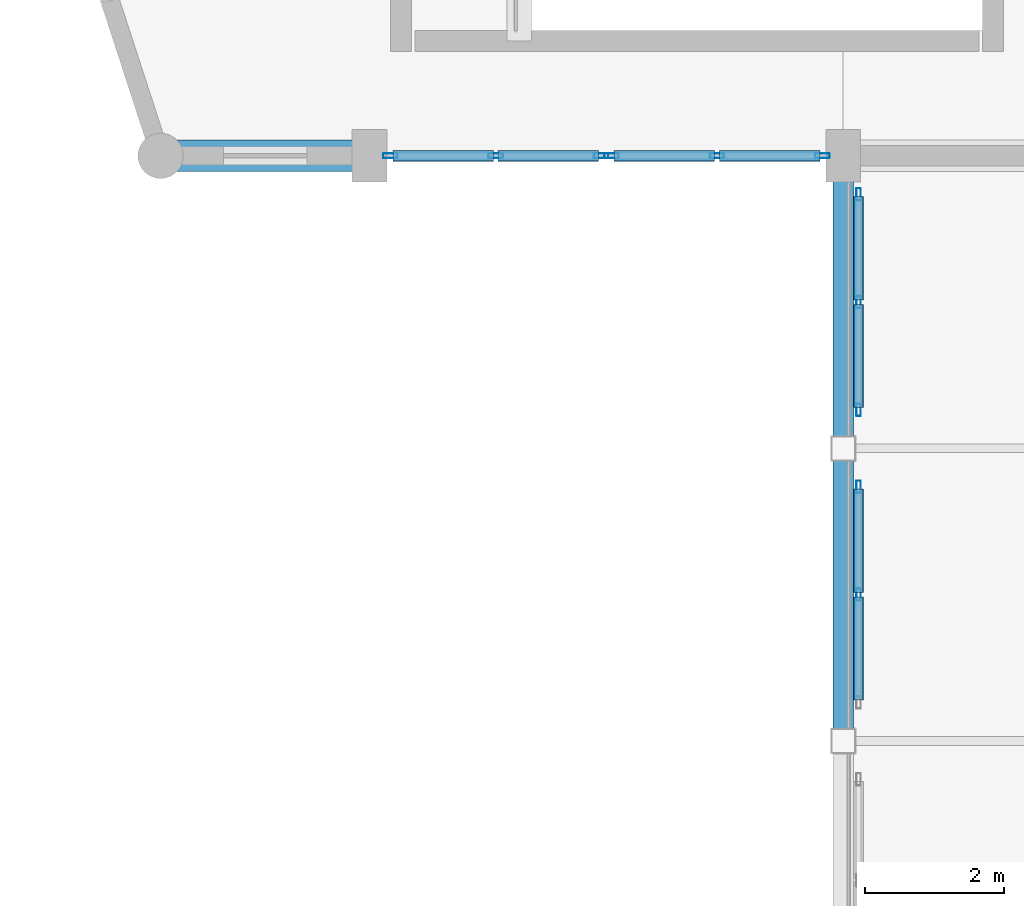
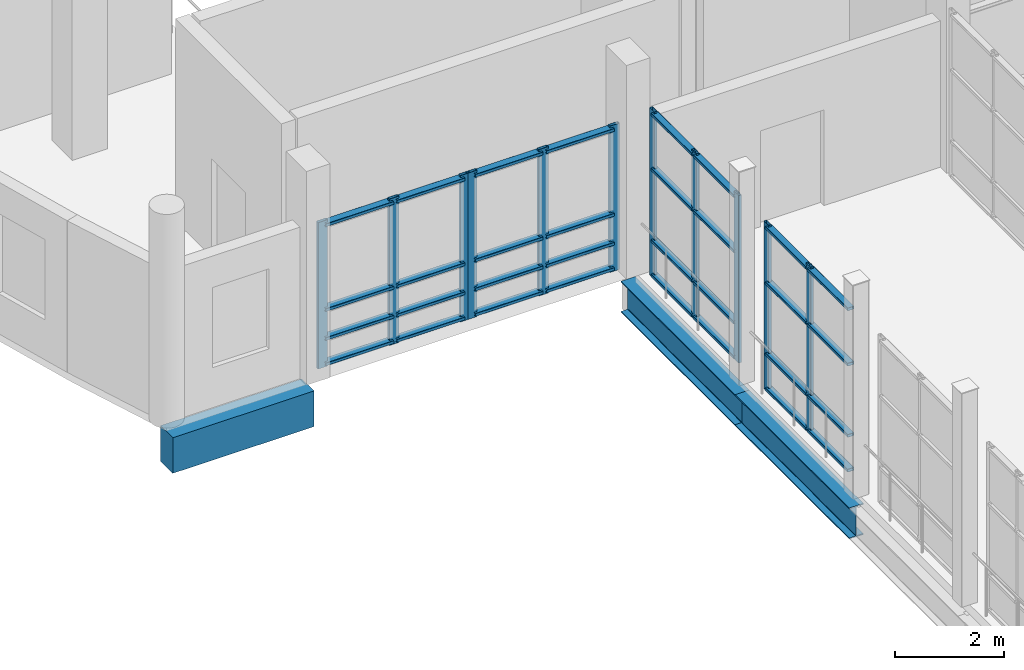
# One storey, part 25 of 106: 43 members, 3 beams, 4 elements without a shape of their own.
"""IFC4 building model written with IfcOpenShell, lengths in metres."""

from ifc_helpers import new_model, si_unit, direction, frame, origin, origin_2d, place, context, subcontext, project, spatial, rectangle, hollow_rectangle, i_section, extrude, material, layer, layer_set, material_profile, profile_set, type_object, element, aggregate, save


model = new_model("IFC4")

# Units and contexts
model_context = context("Model", 3, precision=1e-05, world=origin(), true_north=direction((0.0, 1.0)))
body_context = subcontext(model_context, "Body", "Model", "MODEL_VIEW")
ifc_project = project(units=[si_unit("LENGTHUNIT", "METRE"), si_unit("AREAUNIT", "SQUARE_METRE"), si_unit("VOLUMEUNIT", "CUBIC_METRE"), si_unit("PLANEANGLEUNIT", "RADIAN"), si_unit("MASSUNIT", "GRAM", prefix="KILO")], contexts=[model_context])

# Site, building, storey
site_placement = place(None, origin())
site = spatial("IfcSite", under=ifc_project, at=site_placement, CompositionType="ELEMENT")
building_placement = place(site_placement, origin())
building = spatial("IfcBuilding", under=site, at=building_placement, Name="Kisaragi Civic Commons", CompositionType="ELEMENT")
storey_placement = place(building_placement, frame((0.0, 0.0, 4.800048828125)))
storey = spatial("IfcBuildingStorey", under=building, at=storey_placement, Name="L01", CompositionType="ELEMENT", Elevation=4.800048828125)

# Curtain wall, members
ifc_material_1 = material(Name="Thermally broken anodized aluminium and low-E double glazing", Category="aluminium")
ifc_layer_1 = layer(ifc_material_1, 0.179931640625, Name="Thermally broken anodized aluminium and low-E double glazing", Category="aluminium")
ifc_layer_set_1 = layer_set([ifc_layer_1], Name="Thermally broken anodized aluminium and low-E double glazing")
curtain_wall_type_1 = type_object("IfcCurtainWallType", Name="CW-04", PredefinedType="NOTDEFINED", material=ifc_layer_set_1)
curtain_wall_1_placement = place(storey_placement, origin())
curtain_wall_1 = element("IfcCurtainWall", 1, at=curtain_wall_1_placement, inside=storey, type_object=curtain_wall_type_1, Name="L01 curtain wall CW-04 CW-BR-127", PredefinedType="NOTDEFINED")
ifc_material_profile_1 = material_profile(ifc_material_1, hollow_rectangle(XDim=0.06494140625, YDim=0.179931640625, WallThickness=0.00439453125, InnerFilletRadius=0.00439453125, OuterFilletRadius=0.009033203125, at=origin_2d()), Name="CWM-65x180x4.5", Category="aluminium")
ifc_profile_set_1 = profile_set([ifc_material_profile_1], Name="Thermally broken anodized aluminium and low-E double glazing")
member_type_1 = type_object("IfcMemberType", Name="CWM-02", PredefinedType="MULLION", material=ifc_profile_set_1)
member_1_placement = place(storey_placement, frame((13.820068359375, 72.89990234375, 0.0), z_axis=(0.0, 0.0, 1.0), x_axis=(-1.0, 0.0, 0.0)))
member_1 = element("IfcMember", 2, at=member_1_placement, type_object=member_type_1, Name="CW-04 mullion 2", PredefinedType="MULLION", context=body_context, shape_type="SweptSolid", body=[
    extrude(hollow_rectangle(XDim=0.06494140625, YDim=0.179931640625, WallThickness=0.00439453125, InnerFilletRadius=0.00439453125, OuterFilletRadius=0.009033203125, at=origin_2d()), origin(), (0.0, 0.0, 1.0), 3.760009765625),
])
member_2_placement = place(storey_placement, frame((13.820068359375, 74.447509765625, 0.0), z_axis=(0.0, 0.0, 1.0), x_axis=(-1.0, 0.0, 0.0)))
member_2 = element("IfcMember", 3, at=member_2_placement, type_object=member_type_1, Name="CW-04 mullion 3", PredefinedType="MULLION", context=body_context, shape_type="SweptSolid", body=[
    extrude(hollow_rectangle(XDim=0.06494140625, YDim=0.179931640625, WallThickness=0.00439453125, InnerFilletRadius=0.00439453125, OuterFilletRadius=0.009033203125, at=origin_2d()), origin(), (0.0, 0.0, 1.0), 3.760009765625),
])

curtain_wall_2_placement = place(storey_placement, origin())
curtain_wall_2 = element("IfcCurtainWall", 4, at=curtain_wall_2_placement, inside=storey, type_object=curtain_wall_type_1, Name="L01 curtain wall CW-04 CW-BR-128", PredefinedType="NOTDEFINED")
member_3_placement = place(storey_placement, frame((13.820068359375, 75.552490234375, 0.0), z_axis=(0.0, 0.0, 1.0), x_axis=(-1.0, 0.0, 0.0)))
member_3 = element("IfcMember", 5, at=member_3_placement, type_object=member_type_1, Name="CW-04 mullion 1", PredefinedType="MULLION", context=body_context, shape_type="SweptSolid", body=[
    extrude(hollow_rectangle(XDim=0.06494140625, YDim=0.179931640625, WallThickness=0.00439453125, InnerFilletRadius=0.00439453125, OuterFilletRadius=0.009033203125, at=origin_2d()), origin(), (0.0, 0.0, 1.0), 3.760009765625),
])
member_4_placement = place(storey_placement, frame((13.820068359375, 77.10009765625, 0.0), z_axis=(0.0, 0.0, 1.0), x_axis=(-1.0, 0.0, 0.0)))
member_4 = element("IfcMember", 6, at=member_4_placement, type_object=member_type_1, Name="CW-04 mullion 2", PredefinedType="MULLION", context=body_context, shape_type="SweptSolid", body=[
    extrude(hollow_rectangle(XDim=0.06494140625, YDim=0.179931640625, WallThickness=0.00439453125, InnerFilletRadius=0.00439453125, OuterFilletRadius=0.009033203125, at=origin_2d()), origin(), (0.0, 0.0, 1.0), 3.760009765625),
])
member_5_placement = place(storey_placement, frame((13.820068359375, 78.6474609375, 0.0), z_axis=(0.0, 0.0, 1.0), x_axis=(-1.0, 0.0, 0.0)))
member_5 = element("IfcMember", 7, at=member_5_placement, type_object=member_type_1, Name="CW-04 mullion 3", PredefinedType="MULLION", context=body_context, shape_type="SweptSolid", body=[
    extrude(hollow_rectangle(XDim=0.06494140625, YDim=0.179931640625, WallThickness=0.00439453125, InnerFilletRadius=0.00439453125, OuterFilletRadius=0.009033203125, at=origin_2d()), origin(), (0.0, 0.0, 1.0), 3.760009765625),
])

ifc_layer_2 = layer(ifc_material_1, 0.2099609375, Name="Thermally broken anodized aluminium and low-E double glazing", Category="aluminium")
ifc_layer_set_2 = layer_set([ifc_layer_2], Name="Thermally broken anodized aluminium and low-E double glazing")
curtain_wall_type_2 = type_object("IfcCurtainWallType", Name="CW-02", PredefinedType="NOTDEFINED", material=ifc_layer_set_2)
curtain_wall_3_placement = place(storey_placement, origin())
curtain_wall_3 = element("IfcCurtainWall", 8, at=curtain_wall_3_placement, inside=storey, type_object=curtain_wall_type_2, Name="L01 curtain wall CW-02 CW-V2-L01-007", PredefinedType="NOTDEFINED")
ifc_material_profile_2 = material_profile(ifc_material_1, hollow_rectangle(XDim=0.070068359375, YDim=0.2099609375, WallThickness=0.0048828125, InnerFilletRadius=0.0048828125, OuterFilletRadius=0.010009765625, at=origin_2d()), Name="CWM-70x210x5", Category="aluminium")
ifc_profile_set_2 = profile_set([ifc_material_profile_2], Name="Thermally broken anodized aluminium and low-E double glazing")
member_type_2 = type_object("IfcMemberType", Name="CWM-03", PredefinedType="MULLION", material=ifc_profile_set_2)
member_6_placement = place(storey_placement, frame((13.300048828125, 79.199951171875, 0.0), z_axis=(0.0, 0.0, 1.0), x_axis=(0.0, -1.0, 0.0)))
member_6 = element("IfcMember", 9, at=member_6_placement, type_object=member_type_2, Name="CW-02 mullion 1", PredefinedType="MULLION", context=body_context, shape_type="SweptSolid", body=[
    extrude(hollow_rectangle(XDim=0.070068359375, YDim=0.2099609375, WallThickness=0.0048828125, InnerFilletRadius=0.0048828125, OuterFilletRadius=0.010009765625, at=origin_2d()), origin(), (0.0, 0.0, 1.0), 3.284912109375),
])
member_7_placement = place(storey_placement, frame((11.78759765625, 79.199951171875, 0.0), z_axis=(0.0, 0.0, 1.0), x_axis=(0.0, -1.0, 0.0)))
member_7 = element("IfcMember", 10, at=member_7_placement, type_object=member_type_2, Name="CW-02 mullion 2", PredefinedType="MULLION", context=body_context, shape_type="SweptSolid", body=[
    extrude(hollow_rectangle(XDim=0.070068359375, YDim=0.2099609375, WallThickness=0.0048828125, InnerFilletRadius=0.0048828125, OuterFilletRadius=0.010009765625, at=origin_2d()), origin(), (0.0, 0.0, 1.0), 3.284912109375),
])
member_8_placement = place(storey_placement, frame((10.27490234375, 79.199951171875, 0.0), z_axis=(0.0, 0.0, 1.0), x_axis=(0.0, -1.0, 0.0)))
member_8 = element("IfcMember", 11, at=member_8_placement, type_object=member_type_2, Name="CW-02 mullion 3", PredefinedType="MULLION", context=body_context, shape_type="SweptSolid", body=[
    extrude(hollow_rectangle(XDim=0.070068359375, YDim=0.2099609375, WallThickness=0.0048828125, InnerFilletRadius=0.0048828125, OuterFilletRadius=0.010009765625, at=origin_2d()), origin(), (0.0, 0.0, 1.0), 3.284912109375),
])

curtain_wall_4_placement = place(storey_placement, origin())
curtain_wall_4 = element("IfcCurtainWall", 12, at=curtain_wall_4_placement, inside=storey, type_object=curtain_wall_type_2, Name="L01 curtain wall CW-02 CW-V2-L01-008", PredefinedType="NOTDEFINED")
member_9_placement = place(storey_placement, frame((10.125, 79.199951171875, 0.0), z_axis=(0.0, 0.0, 1.0), x_axis=(0.0, -1.0, 0.0)))
member_9 = element("IfcMember", 13, at=member_9_placement, type_object=member_type_2, Name="CW-02 mullion 1", PredefinedType="MULLION", context=body_context, shape_type="SweptSolid", body=[
    extrude(hollow_rectangle(XDim=0.070068359375, YDim=0.2099609375, WallThickness=0.0048828125, InnerFilletRadius=0.0048828125, OuterFilletRadius=0.010009765625, at=origin_2d()), origin(), (0.0, 0.0, 1.0), 3.284912109375),
])
member_10_placement = place(storey_placement, frame((8.612548828125, 79.199951171875, 0.0), z_axis=(0.0, 0.0, 1.0), x_axis=(0.0, -1.0, 0.0)))
member_10 = element("IfcMember", 14, at=member_10_placement, type_object=member_type_2, Name="CW-02 mullion 2", PredefinedType="MULLION", context=body_context, shape_type="SweptSolid", body=[
    extrude(hollow_rectangle(XDim=0.070068359375, YDim=0.2099609375, WallThickness=0.0048828125, InnerFilletRadius=0.0048828125, OuterFilletRadius=0.010009765625, at=origin_2d()), origin(), (0.0, 0.0, 1.0), 3.284912109375),
])
member_11_placement = place(storey_placement, frame((7.10009765625, 79.199951171875, 0.0), z_axis=(0.0, 0.0, 1.0), x_axis=(0.0, -1.0, 0.0)))
member_11 = element("IfcMember", 15, at=member_11_placement, type_object=member_type_2, Name="CW-02 mullion 3", PredefinedType="MULLION", context=body_context, shape_type="SweptSolid", body=[
    extrude(hollow_rectangle(XDim=0.070068359375, YDim=0.2099609375, WallThickness=0.0048828125, InnerFilletRadius=0.0048828125, OuterFilletRadius=0.010009765625, at=origin_2d()), origin(), (0.0, 0.0, 1.0), 3.284912109375),
])

# Member
ifc_material_profile_3 = material_profile(ifc_material_1, hollow_rectangle(XDim=0.139892578125, YDim=0.06494140625, WallThickness=0.00439453125, InnerFilletRadius=0.00439453125, OuterFilletRadius=0.009033203125, at=origin_2d()), Name="CWT-65x140x4.5", Category="aluminium")
ifc_profile_set_3 = profile_set([ifc_material_profile_3], Name="Thermally broken anodized aluminium and low-E double glazing")
member_type_3 = type_object("IfcMemberType", Name="CWT-02", PredefinedType="USERDEFINED", material=ifc_profile_set_3)
member_12_placement = place(storey_placement, frame((13.820068359375, 71.385009765625, 0.070068359375), z_axis=(0.0, 1.0, 0.0), x_axis=(-1.0, 0.0, 0.0)))
member_12 = element("IfcMember", 16, at=member_12_placement, type_object=member_type_3, Name="CW-04 transom 1.1", ObjectType="TRANSOM", PredefinedType="USERDEFINED", context=body_context, shape_type="SweptSolid", body=[
    extrude(hollow_rectangle(XDim=0.139892578125, YDim=0.06494140625, WallThickness=0.00439453125, InnerFilletRadius=0.00439453125, OuterFilletRadius=0.009033203125, at=origin_2d()), origin(), (0.0, 0.0, 1.0), 1.482421875),
])

member_13_placement = place(storey_placement, frame((13.820068359375, 71.385009765625, 0.849853515625), z_axis=(0.0, 1.0, 0.0), x_axis=(-1.0, 0.0, 0.0)))
member_13 = element("IfcMember", 17, at=member_13_placement, type_object=member_type_3, Name="CW-04 transom 1.2", ObjectType="TRANSOM", PredefinedType="USERDEFINED", context=body_context, shape_type="SweptSolid", body=[
    extrude(hollow_rectangle(XDim=0.139892578125, YDim=0.06494140625, WallThickness=0.00439453125, InnerFilletRadius=0.00439453125, OuterFilletRadius=0.009033203125, at=origin_2d()), origin(), (0.0, 0.0, 1.0), 1.482421875),
])

member_14_placement = place(storey_placement, frame((13.820068359375, 71.385009765625, 2.449951171875), z_axis=(0.0, 1.0, 0.0), x_axis=(-1.0, 0.0, 0.0)))
member_14 = element("IfcMember", 18, at=member_14_placement, type_object=member_type_3, Name="CW-04 transom 1.3", ObjectType="TRANSOM", PredefinedType="USERDEFINED", context=body_context, shape_type="SweptSolid", body=[
    extrude(hollow_rectangle(XDim=0.139892578125, YDim=0.06494140625, WallThickness=0.00439453125, InnerFilletRadius=0.00439453125, OuterFilletRadius=0.009033203125, at=origin_2d()), origin(), (0.0, 0.0, 1.0), 1.482421875),
])

member_15_placement = place(storey_placement, frame((13.820068359375, 71.385009765625, 3.68994140625), z_axis=(0.0, 1.0, 0.0), x_axis=(-1.0, 0.0, 0.0)))
member_15 = element("IfcMember", 19, at=member_15_placement, type_object=member_type_3, Name="CW-04 transom 1.4", ObjectType="TRANSOM", PredefinedType="USERDEFINED", context=body_context, shape_type="SweptSolid", body=[
    extrude(hollow_rectangle(XDim=0.139892578125, YDim=0.06494140625, WallThickness=0.00439453125, InnerFilletRadius=0.00439453125, OuterFilletRadius=0.009033203125, at=origin_2d()), origin(), (0.0, 0.0, 1.0), 1.482421875),
])

member_16_placement = place(storey_placement, frame((13.820068359375, 72.9326171875, 0.070068359375), z_axis=(0.0, 1.0, 0.0), x_axis=(-1.0, 0.0, 0.0)))
member_16 = element("IfcMember", 20, at=member_16_placement, type_object=member_type_3, Name="CW-04 transom 2.1", ObjectType="TRANSOM", PredefinedType="USERDEFINED", context=body_context, shape_type="SweptSolid", body=[
    extrude(hollow_rectangle(XDim=0.139892578125, YDim=0.06494140625, WallThickness=0.00439453125, InnerFilletRadius=0.00439453125, OuterFilletRadius=0.009033203125, at=origin_2d()), origin(), (0.0, 0.0, 1.0), 1.482421875),
])

member_17_placement = place(storey_placement, frame((13.820068359375, 72.9326171875, 0.849853515625), z_axis=(0.0, 1.0, 0.0), x_axis=(-1.0, 0.0, 0.0)))
member_17 = element("IfcMember", 21, at=member_17_placement, type_object=member_type_3, Name="CW-04 transom 2.2", ObjectType="TRANSOM", PredefinedType="USERDEFINED", context=body_context, shape_type="SweptSolid", body=[
    extrude(hollow_rectangle(XDim=0.139892578125, YDim=0.06494140625, WallThickness=0.00439453125, InnerFilletRadius=0.00439453125, OuterFilletRadius=0.009033203125, at=origin_2d()), origin(), (0.0, 0.0, 1.0), 1.482421875),
])

member_18_placement = place(storey_placement, frame((13.820068359375, 72.9326171875, 2.449951171875), z_axis=(0.0, 1.0, 0.0), x_axis=(-1.0, 0.0, 0.0)))
member_18 = element("IfcMember", 22, at=member_18_placement, type_object=member_type_3, Name="CW-04 transom 2.3", ObjectType="TRANSOM", PredefinedType="USERDEFINED", context=body_context, shape_type="SweptSolid", body=[
    extrude(hollow_rectangle(XDim=0.139892578125, YDim=0.06494140625, WallThickness=0.00439453125, InnerFilletRadius=0.00439453125, OuterFilletRadius=0.009033203125, at=origin_2d()), origin(), (0.0, 0.0, 1.0), 1.482421875),
])

member_19_placement = place(storey_placement, frame((13.820068359375, 72.9326171875, 3.68994140625), z_axis=(0.0, 1.0, 0.0), x_axis=(-1.0, 0.0, 0.0)))
member_19 = element("IfcMember", 23, at=member_19_placement, type_object=member_type_3, Name="CW-04 transom 2.4", ObjectType="TRANSOM", PredefinedType="USERDEFINED", context=body_context, shape_type="SweptSolid", body=[
    extrude(hollow_rectangle(XDim=0.139892578125, YDim=0.06494140625, WallThickness=0.00439453125, InnerFilletRadius=0.00439453125, OuterFilletRadius=0.009033203125, at=origin_2d()), origin(), (0.0, 0.0, 1.0), 1.482421875),
])

aggregate(curtain_wall_1, [member_1, member_2, member_12, member_13, member_14, member_15, member_16, member_17, member_18, member_19])

member_20_placement = place(storey_placement, frame((13.820068359375, 75.5849609375, 0.070068359375), z_axis=(0.0, 1.0, 0.0), x_axis=(-1.0, 0.0, 0.0)))
member_20 = element("IfcMember", 24, at=member_20_placement, type_object=member_type_3, Name="CW-04 transom 1.1", ObjectType="TRANSOM", PredefinedType="USERDEFINED", context=body_context, shape_type="SweptSolid", body=[
    extrude(hollow_rectangle(XDim=0.139892578125, YDim=0.06494140625, WallThickness=0.00439453125, InnerFilletRadius=0.00439453125, OuterFilletRadius=0.009033203125, at=origin_2d()), origin(), (0.0, 0.0, 1.0), 1.482421875),
])

member_21_placement = place(storey_placement, frame((13.820068359375, 75.5849609375, 0.849853515625), z_axis=(0.0, 1.0, 0.0), x_axis=(-1.0, 0.0, 0.0)))
member_21 = element("IfcMember", 25, at=member_21_placement, type_object=member_type_3, Name="CW-04 transom 1.2", ObjectType="TRANSOM", PredefinedType="USERDEFINED", context=body_context, shape_type="SweptSolid", body=[
    extrude(hollow_rectangle(XDim=0.139892578125, YDim=0.06494140625, WallThickness=0.00439453125, InnerFilletRadius=0.00439453125, OuterFilletRadius=0.009033203125, at=origin_2d()), origin(), (0.0, 0.0, 1.0), 1.482421875),
])

member_22_placement = place(storey_placement, frame((13.820068359375, 75.5849609375, 2.449951171875), z_axis=(0.0, 1.0, 0.0), x_axis=(-1.0, 0.0, 0.0)))
member_22 = element("IfcMember", 26, at=member_22_placement, type_object=member_type_3, Name="CW-04 transom 1.3", ObjectType="TRANSOM", PredefinedType="USERDEFINED", context=body_context, shape_type="SweptSolid", body=[
    extrude(hollow_rectangle(XDim=0.139892578125, YDim=0.06494140625, WallThickness=0.00439453125, InnerFilletRadius=0.00439453125, OuterFilletRadius=0.009033203125, at=origin_2d()), origin(), (0.0, 0.0, 1.0), 1.482421875),
])

member_23_placement = place(storey_placement, frame((13.820068359375, 75.5849609375, 3.68994140625), z_axis=(0.0, 1.0, 0.0), x_axis=(-1.0, 0.0, 0.0)))
member_23 = element("IfcMember", 27, at=member_23_placement, type_object=member_type_3, Name="CW-04 transom 1.4", ObjectType="TRANSOM", PredefinedType="USERDEFINED", context=body_context, shape_type="SweptSolid", body=[
    extrude(hollow_rectangle(XDim=0.139892578125, YDim=0.06494140625, WallThickness=0.00439453125, InnerFilletRadius=0.00439453125, OuterFilletRadius=0.009033203125, at=origin_2d()), origin(), (0.0, 0.0, 1.0), 1.482421875),
])

member_24_placement = place(storey_placement, frame((13.820068359375, 77.132568359375, 0.070068359375), z_axis=(0.0, 1.0, 0.0), x_axis=(-1.0, 0.0, 0.0)))
member_24 = element("IfcMember", 28, at=member_24_placement, type_object=member_type_3, Name="CW-04 transom 2.1", ObjectType="TRANSOM", PredefinedType="USERDEFINED", context=body_context, shape_type="SweptSolid", body=[
    extrude(hollow_rectangle(XDim=0.139892578125, YDim=0.06494140625, WallThickness=0.00439453125, InnerFilletRadius=0.00439453125, OuterFilletRadius=0.009033203125, at=origin_2d()), origin(), (0.0, 0.0, 1.0), 1.482421875),
])

member_25_placement = place(storey_placement, frame((13.820068359375, 77.132568359375, 0.849853515625), z_axis=(0.0, 1.0, 0.0), x_axis=(-1.0, 0.0, 0.0)))
member_25 = element("IfcMember", 29, at=member_25_placement, type_object=member_type_3, Name="CW-04 transom 2.2", ObjectType="TRANSOM", PredefinedType="USERDEFINED", context=body_context, shape_type="SweptSolid", body=[
    extrude(hollow_rectangle(XDim=0.139892578125, YDim=0.06494140625, WallThickness=0.00439453125, InnerFilletRadius=0.00439453125, OuterFilletRadius=0.009033203125, at=origin_2d()), origin(), (0.0, 0.0, 1.0), 1.482421875),
])

member_26_placement = place(storey_placement, frame((13.820068359375, 77.132568359375, 2.449951171875), z_axis=(0.0, 1.0, 0.0), x_axis=(-1.0, 0.0, 0.0)))
member_26 = element("IfcMember", 30, at=member_26_placement, type_object=member_type_3, Name="CW-04 transom 2.3", ObjectType="TRANSOM", PredefinedType="USERDEFINED", context=body_context, shape_type="SweptSolid", body=[
    extrude(hollow_rectangle(XDim=0.139892578125, YDim=0.06494140625, WallThickness=0.00439453125, InnerFilletRadius=0.00439453125, OuterFilletRadius=0.009033203125, at=origin_2d()), origin(), (0.0, 0.0, 1.0), 1.482421875),
])

member_27_placement = place(storey_placement, frame((13.820068359375, 77.132568359375, 3.68994140625), z_axis=(0.0, 1.0, 0.0), x_axis=(-1.0, 0.0, 0.0)))
member_27 = element("IfcMember", 31, at=member_27_placement, type_object=member_type_3, Name="CW-04 transom 2.4", ObjectType="TRANSOM", PredefinedType="USERDEFINED", context=body_context, shape_type="SweptSolid", body=[
    extrude(hollow_rectangle(XDim=0.139892578125, YDim=0.06494140625, WallThickness=0.00439453125, InnerFilletRadius=0.00439453125, OuterFilletRadius=0.009033203125, at=origin_2d()), origin(), (0.0, 0.0, 1.0), 1.482421875),
])

aggregate(curtain_wall_2, [member_3, member_4, member_5, member_20, member_21, member_22, member_23, member_24, member_25, member_26, member_27])

ifc_material_profile_4 = material_profile(ifc_material_1, hollow_rectangle(XDim=0.159912109375, YDim=0.070068359375, WallThickness=0.0048828125, InnerFilletRadius=0.0048828125, OuterFilletRadius=0.010009765625, at=origin_2d()), Name="CWT-70x160x5", Category="aluminium")
ifc_profile_set_4 = profile_set([ifc_material_profile_4], Name="Thermally broken anodized aluminium and low-E double glazing")
member_type_4 = type_object("IfcMemberType", Name="CWT-03", PredefinedType="USERDEFINED", material=ifc_profile_set_4)
member_28_placement = place(storey_placement, frame((13.264892578125, 79.199951171875, 0.079833984375), z_axis=(-1.0, 0.0, 0.0), x_axis=(0.0, -1.0, 0.0)))
member_28 = element("IfcMember", 32, at=member_28_placement, type_object=member_type_4, Name="CW-02 transom 1.1", ObjectType="TRANSOM", PredefinedType="USERDEFINED", context=body_context, shape_type="SweptSolid", body=[
    extrude(hollow_rectangle(XDim=0.159912109375, YDim=0.070068359375, WallThickness=0.0048828125, InnerFilletRadius=0.0048828125, OuterFilletRadius=0.010009765625, at=origin_2d()), origin(), (0.0, 0.0, 1.0), 1.4423828125),
])

member_29_placement = place(storey_placement, frame((13.264892578125, 79.199951171875, 0.64990234375), z_axis=(-1.0, 0.0, 0.0), x_axis=(0.0, -1.0, 0.0)))
member_29 = element("IfcMember", 33, at=member_29_placement, type_object=member_type_4, Name="CW-02 transom 1.2", ObjectType="TRANSOM", PredefinedType="USERDEFINED", context=body_context, shape_type="SweptSolid", body=[
    extrude(hollow_rectangle(XDim=0.159912109375, YDim=0.070068359375, WallThickness=0.0048828125, InnerFilletRadius=0.0048828125, OuterFilletRadius=0.010009765625, at=origin_2d()), origin(), (0.0, 0.0, 1.0), 1.4423828125),
])

member_30_placement = place(storey_placement, frame((13.264892578125, 79.199951171875, 1.300048828125), z_axis=(-1.0, 0.0, 0.0), x_axis=(0.0, -1.0, 0.0)))
member_30 = element("IfcMember", 34, at=member_30_placement, type_object=member_type_4, Name="CW-02 transom 1.3", ObjectType="TRANSOM", PredefinedType="USERDEFINED", context=body_context, shape_type="SweptSolid", body=[
    extrude(hollow_rectangle(XDim=0.159912109375, YDim=0.070068359375, WallThickness=0.0048828125, InnerFilletRadius=0.0048828125, OuterFilletRadius=0.010009765625, at=origin_2d()), origin(), (0.0, 0.0, 1.0), 1.4423828125),
])

member_31_placement = place(storey_placement, frame((13.264892578125, 79.199951171875, 3.204833984375), z_axis=(-1.0, 0.0, 0.0), x_axis=(0.0, -1.0, 0.0)))
member_31 = element("IfcMember", 35, at=member_31_placement, type_object=member_type_4, Name="CW-02 transom 1.4", ObjectType="TRANSOM", PredefinedType="USERDEFINED", context=body_context, shape_type="SweptSolid", body=[
    extrude(hollow_rectangle(XDim=0.159912109375, YDim=0.070068359375, WallThickness=0.0048828125, InnerFilletRadius=0.0048828125, OuterFilletRadius=0.010009765625, at=origin_2d()), origin(), (0.0, 0.0, 1.0), 1.4423828125),
])

member_32_placement = place(storey_placement, frame((11.75244140625, 79.199951171875, 0.079833984375), z_axis=(-1.0, 0.0, 0.0), x_axis=(0.0, -1.0, 0.0)))
member_32 = element("IfcMember", 36, at=member_32_placement, type_object=member_type_4, Name="CW-02 transom 2.1", ObjectType="TRANSOM", PredefinedType="USERDEFINED", context=body_context, shape_type="SweptSolid", body=[
    extrude(hollow_rectangle(XDim=0.159912109375, YDim=0.070068359375, WallThickness=0.0048828125, InnerFilletRadius=0.0048828125, OuterFilletRadius=0.010009765625, at=origin_2d()), origin(), (0.0, 0.0, 1.0), 1.4423828125),
])

member_33_placement = place(storey_placement, frame((11.75244140625, 79.199951171875, 0.64990234375), z_axis=(-1.0, 0.0, 0.0), x_axis=(0.0, -1.0, 0.0)))
member_33 = element("IfcMember", 37, at=member_33_placement, type_object=member_type_4, Name="CW-02 transom 2.2", ObjectType="TRANSOM", PredefinedType="USERDEFINED", context=body_context, shape_type="SweptSolid", body=[
    extrude(hollow_rectangle(XDim=0.159912109375, YDim=0.070068359375, WallThickness=0.0048828125, InnerFilletRadius=0.0048828125, OuterFilletRadius=0.010009765625, at=origin_2d()), origin(), (0.0, 0.0, 1.0), 1.4423828125),
])

member_34_placement = place(storey_placement, frame((11.75244140625, 79.199951171875, 1.300048828125), z_axis=(-1.0, 0.0, 0.0), x_axis=(0.0, -1.0, 0.0)))
member_34 = element("IfcMember", 38, at=member_34_placement, type_object=member_type_4, Name="CW-02 transom 2.3", ObjectType="TRANSOM", PredefinedType="USERDEFINED", context=body_context, shape_type="SweptSolid", body=[
    extrude(hollow_rectangle(XDim=0.159912109375, YDim=0.070068359375, WallThickness=0.0048828125, InnerFilletRadius=0.0048828125, OuterFilletRadius=0.010009765625, at=origin_2d()), origin(), (0.0, 0.0, 1.0), 1.4423828125),
])

member_35_placement = place(storey_placement, frame((11.75244140625, 79.199951171875, 3.204833984375), z_axis=(-1.0, 0.0, 0.0), x_axis=(0.0, -1.0, 0.0)))
member_35 = element("IfcMember", 39, at=member_35_placement, type_object=member_type_4, Name="CW-02 transom 2.4", ObjectType="TRANSOM", PredefinedType="USERDEFINED", context=body_context, shape_type="SweptSolid", body=[
    extrude(hollow_rectangle(XDim=0.159912109375, YDim=0.070068359375, WallThickness=0.0048828125, InnerFilletRadius=0.0048828125, OuterFilletRadius=0.010009765625, at=origin_2d()), origin(), (0.0, 0.0, 1.0), 1.4423828125),
])

aggregate(curtain_wall_3, [member_6, member_7, member_8, member_28, member_29, member_30, member_31, member_32, member_33, member_34, member_35])

member_36_placement = place(storey_placement, frame((10.090087890625, 79.199951171875, 0.079833984375), z_axis=(-1.0, 0.0, 0.0), x_axis=(0.0, -1.0, 0.0)))
member_36 = element("IfcMember", 40, at=member_36_placement, type_object=member_type_4, Name="CW-02 transom 1.1", ObjectType="TRANSOM", PredefinedType="USERDEFINED", context=body_context, shape_type="SweptSolid", body=[
    extrude(hollow_rectangle(XDim=0.159912109375, YDim=0.070068359375, WallThickness=0.0048828125, InnerFilletRadius=0.0048828125, OuterFilletRadius=0.010009765625, at=origin_2d()), origin(), (0.0, 0.0, 1.0), 1.442626953125),
])

member_37_placement = place(storey_placement, frame((10.090087890625, 79.199951171875, 0.64990234375), z_axis=(-1.0, 0.0, 0.0), x_axis=(0.0, -1.0, 0.0)))
member_37 = element("IfcMember", 41, at=member_37_placement, type_object=member_type_4, Name="CW-02 transom 1.2", ObjectType="TRANSOM", PredefinedType="USERDEFINED", context=body_context, shape_type="SweptSolid", body=[
    extrude(hollow_rectangle(XDim=0.159912109375, YDim=0.070068359375, WallThickness=0.0048828125, InnerFilletRadius=0.0048828125, OuterFilletRadius=0.010009765625, at=origin_2d()), origin(), (0.0, 0.0, 1.0), 1.442626953125),
])

member_38_placement = place(storey_placement, frame((10.090087890625, 79.199951171875, 1.300048828125), z_axis=(-1.0, 0.0, 0.0), x_axis=(0.0, -1.0, 0.0)))
member_38 = element("IfcMember", 42, at=member_38_placement, type_object=member_type_4, Name="CW-02 transom 1.3", ObjectType="TRANSOM", PredefinedType="USERDEFINED", context=body_context, shape_type="SweptSolid", body=[
    extrude(hollow_rectangle(XDim=0.159912109375, YDim=0.070068359375, WallThickness=0.0048828125, InnerFilletRadius=0.0048828125, OuterFilletRadius=0.010009765625, at=origin_2d()), origin(), (0.0, 0.0, 1.0), 1.442626953125),
])

member_39_placement = place(storey_placement, frame((10.090087890625, 79.199951171875, 3.204833984375), z_axis=(-1.0, 0.0, 0.0), x_axis=(0.0, -1.0, 0.0)))
member_39 = element("IfcMember", 43, at=member_39_placement, type_object=member_type_4, Name="CW-02 transom 1.4", ObjectType="TRANSOM", PredefinedType="USERDEFINED", context=body_context, shape_type="SweptSolid", body=[
    extrude(hollow_rectangle(XDim=0.159912109375, YDim=0.070068359375, WallThickness=0.0048828125, InnerFilletRadius=0.0048828125, OuterFilletRadius=0.010009765625, at=origin_2d()), origin(), (0.0, 0.0, 1.0), 1.442626953125),
])

member_40_placement = place(storey_placement, frame((8.577392578125, 79.199951171875, 0.079833984375), z_axis=(-1.0, 0.0, 0.0), x_axis=(0.0, -1.0, 0.0)))
member_40 = element("IfcMember", 44, at=member_40_placement, type_object=member_type_4, Name="CW-02 transom 2.1", ObjectType="TRANSOM", PredefinedType="USERDEFINED", context=body_context, shape_type="SweptSolid", body=[
    extrude(hollow_rectangle(XDim=0.159912109375, YDim=0.070068359375, WallThickness=0.0048828125, InnerFilletRadius=0.0048828125, OuterFilletRadius=0.010009765625, at=origin_2d()), origin(), (0.0, 0.0, 1.0), 1.4423828125),
])

member_41_placement = place(storey_placement, frame((8.577392578125, 79.199951171875, 0.64990234375), z_axis=(-1.0, 0.0, 0.0), x_axis=(0.0, -1.0, 0.0)))
member_41 = element("IfcMember", 45, at=member_41_placement, type_object=member_type_4, Name="CW-02 transom 2.2", ObjectType="TRANSOM", PredefinedType="USERDEFINED", context=body_context, shape_type="SweptSolid", body=[
    extrude(hollow_rectangle(XDim=0.159912109375, YDim=0.070068359375, WallThickness=0.0048828125, InnerFilletRadius=0.0048828125, OuterFilletRadius=0.010009765625, at=origin_2d()), origin(), (0.0, 0.0, 1.0), 1.4423828125),
])

member_42_placement = place(storey_placement, frame((8.577392578125, 79.199951171875, 1.300048828125), z_axis=(-1.0, 0.0, 0.0), x_axis=(0.0, -1.0, 0.0)))
member_42 = element("IfcMember", 46, at=member_42_placement, type_object=member_type_4, Name="CW-02 transom 2.3", ObjectType="TRANSOM", PredefinedType="USERDEFINED", context=body_context, shape_type="SweptSolid", body=[
    extrude(hollow_rectangle(XDim=0.159912109375, YDim=0.070068359375, WallThickness=0.0048828125, InnerFilletRadius=0.0048828125, OuterFilletRadius=0.010009765625, at=origin_2d()), origin(), (0.0, 0.0, 1.0), 1.4423828125),
])

member_43_placement = place(storey_placement, frame((8.577392578125, 79.199951171875, 3.204833984375), z_axis=(-1.0, 0.0, 0.0), x_axis=(0.0, -1.0, 0.0)))
member_43 = element("IfcMember", 47, at=member_43_placement, type_object=member_type_4, Name="CW-02 transom 2.4", ObjectType="TRANSOM", PredefinedType="USERDEFINED", context=body_context, shape_type="SweptSolid", body=[
    extrude(hollow_rectangle(XDim=0.159912109375, YDim=0.070068359375, WallThickness=0.0048828125, InnerFilletRadius=0.0048828125, OuterFilletRadius=0.010009765625, at=origin_2d()), origin(), (0.0, 0.0, 1.0), 1.4423828125),
])

aggregate(curtain_wall_4, [member_9, member_10, member_11, member_36, member_37, member_38, member_39, member_40, member_41, member_42, member_43])

# Beams
ifc_material_2 = material(Name="Steel SN490 (SN490B)", Category="steel")
ifc_material_profile_5 = material_profile(ifc_material_2, i_section(OverallWidth=0.300048828125, OverallDepth=0.699951171875, WebThickness=0.012939453125, FlangeThickness=0.02392578125, FilletRadius=0.01806640625, at=origin_2d()), Name="H-700x300x13x24", Category="steel")
ifc_profile_set_5 = profile_set([ifc_material_profile_5], Name="Steel SN490 (SN490B)")
beam_type_1 = type_object("IfcBeamType", Name="G-09", PredefinedType="BEAM", material=ifc_profile_set_5)
for number, where, z_axis, x_axis, name in (
    (48, (13.60009765625, 79.199951171875, -0.655029296875), (0.0, -1.0, 0.0), (1.0, 0.0, 0.0), "BR-V2-V1 L01 bridge girder 61"),
    (49, (13.60009765625, 75.0, -0.655029296875), (0.0, -1.0, 0.0), (1.0, 0.0, 0.0), "BR-V2-V1 L01 bridge girder 62"),
):
    element("IfcBeam", number, at=place(storey_placement, frame(where, z_axis=z_axis, x_axis=x_axis)), inside=storey, type_object=beam_type_1, Name=name, PredefinedType="BEAM", context=body_context, shape_type="SweptSolid", body=[
        extrude(i_section(OverallWidth=0.300048828125, OverallDepth=0.699951171875, WebThickness=0.012939453125, FlangeThickness=0.02392578125, FilletRadius=0.01806640625, at=origin_2d()), origin(), (0.0, 0.0, 1.0), 4.199951171875),
    ])
ifc_material_3 = material(Name="Concrete Fc30", Category="concrete")
ifc_material_profile_6 = material_profile(ifc_material_3, rectangle(XDim=0.449951171875, YDim=0.800048828125, at=origin_2d()), Name="RC-450x800", Category="concrete")
ifc_profile_set_6 = profile_set([ifc_material_profile_6], Name="Concrete Fc30")
beam_type_2 = type_object("IfcBeamType", Name="SPB-01", PredefinedType="SPANDREL", material=ifc_profile_set_6)
beam_placement = place(storey_placement, frame((3.800048828125, 79.199951171875, -0.705078125), z_axis=(1.0, 0.0, 0.0), x_axis=(0.0, 1.0, 0.0)))
element("IfcBeam", 50, at=beam_placement, inside=storey, type_object=beam_type_2, Name="L01 girder SPB-01 171", PredefinedType="SPANDREL", context=body_context, shape_type="SweptSolid", body=[
    extrude(rectangle(XDim=0.449951171875, YDim=0.800048828125, at=origin_2d()), origin(), (0.0, 0.0, 1.0), 3.0),
])

save(model, "model.ifc")
